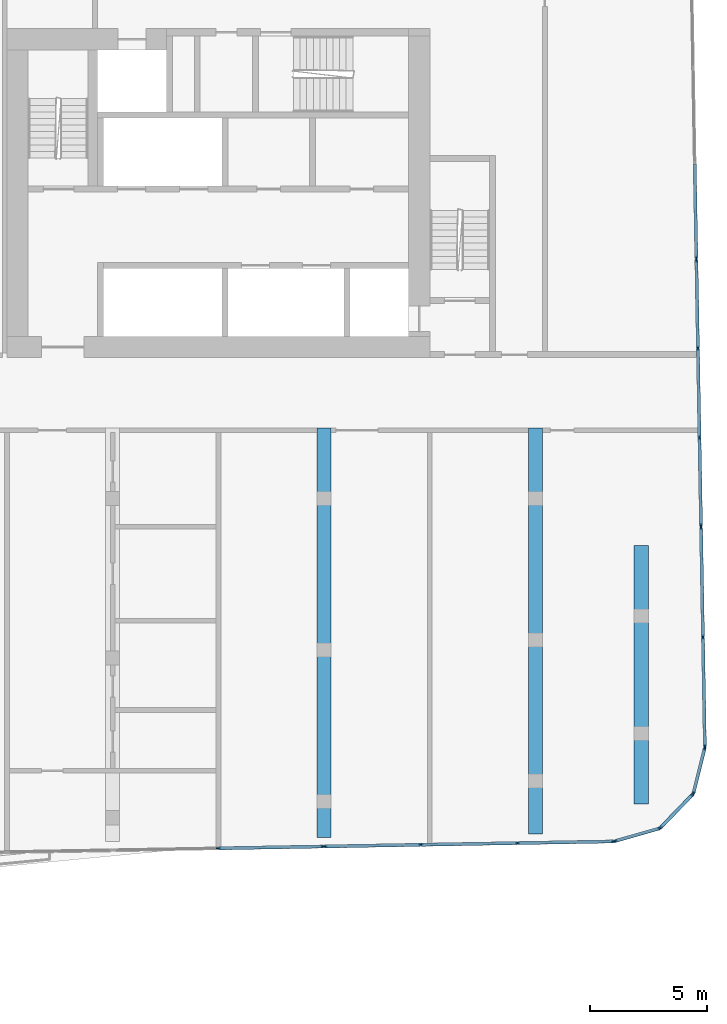
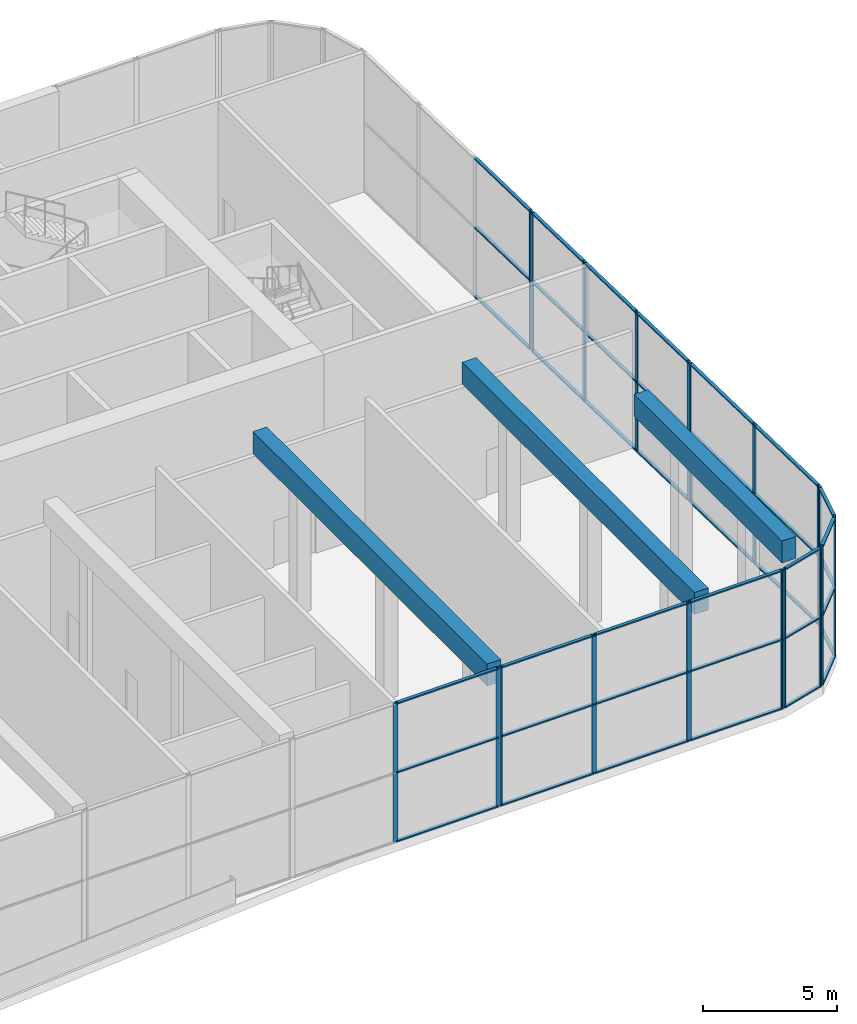
# One storey, part 7 of 24: 59 members, 3 beams, 8 elements without a shape of their own.
"""IFC4 building model written with IfcOpenShell, lengths in metres."""

from ifc_helpers import new_model, si_unit, direction, frame, origin, origin_2d, place, context, subcontext, project, spatial, rectangle, extrude, material, material_profile, profile_set, type_object, element, aggregate, save


model = new_model("IFC4")

# Units and contexts
model_context = context("Model", 3, precision=1e-05, world=origin(), true_north=direction((0.0, 1.0)))
body_context = subcontext(model_context, "Body", "Model", "MODEL_VIEW")
ifc_project = project(units=[si_unit("LENGTHUNIT", "METRE"), si_unit("AREAUNIT", "SQUARE_METRE"), si_unit("VOLUMEUNIT", "CUBIC_METRE"), si_unit("PLANEANGLEUNIT", "RADIAN"), si_unit("MASSUNIT", "GRAM", prefix="KILO")], contexts=[model_context])

# Site, building, storey
site_placement = place(None, origin())
site = spatial("IfcSite", under=ifc_project, at=site_placement, CompositionType="ELEMENT")
building_placement = place(site_placement, origin())
building = spatial("IfcBuilding", under=site, at=building_placement, Name="Kajstack Hotel Tower", CompositionType="ELEMENT")
storey_placement = place(building_placement, frame((0.0, 0.0, 211.10009765625)))
storey = spatial("IfcBuildingStorey", under=building, at=storey_placement, Name="L51", CompositionType="ELEMENT", Elevation=211.10009765625)

# Curtain wall, members
ifc_material_1 = material(Name="Aluminium-framed curtain wall, low-iron insulated glass", Category="aluminium")
curtain_wall_type = type_object("IfcCurtainWallType", Name="CW-GARDEN", PredefinedType="NOTDEFINED", material=ifc_material_1)
curtain_wall_1_placement = place(storey_placement, origin())
curtain_wall_1 = element("IfcCurtainWall", 1, at=curtain_wall_1_placement, inside=storey, type_object=curtain_wall_type, Name="Curtain wall CU6 L51-04-02-3", PredefinedType="NOTDEFINED")
ifc_material_2 = material(Name="Aluminium", Category="aluminium")
ifc_material_profile_1 = material_profile(ifc_material_2, rectangle(XDim=0.06005859375, YDim=0.199951171875, at=origin_2d()), Name="Aluminium mullion 60 x 200")
ifc_profile_set_1 = profile_set([ifc_material_profile_1], Name="Aluminium")
member_type_1 = type_object("IfcMemberType", Name="CW-M-GARDEN", PredefinedType="MULLION", material=ifc_profile_set_1)
member_1_placement = place(storey_placement, frame((22.498779296875, -19.3876953125, 0.0), z_axis=(0.0, 0.0, 1.0), x_axis=(-0.017452739256, 0.999847689347, 0.0)))
member_1 = element("IfcMember", 2, at=member_1_placement, type_object=member_type_1, Name="CU6 mullion 2", PredefinedType="MULLION", context=body_context, shape_type="SweptSolid", body=[
    extrude(rectangle(XDim=0.06005859375, YDim=0.199951171875, at=origin_2d()), origin(), (0.0, 0.0, 1.0), 6.31982421875),
])
member_2_placement = place(storey_placement, frame((26.96875, -19.309814453125, 0.0), z_axis=(0.0, 0.0, 1.0), x_axis=(-0.017452739256, 0.999847689347, 0.0)))
member_2 = element("IfcMember", 3, at=member_2_placement, type_object=member_type_1, Name="CU6 mullion 3", PredefinedType="MULLION", context=body_context, shape_type="SweptSolid", body=[
    extrude(rectangle(XDim=0.06005859375, YDim=0.199951171875, at=origin_2d()), origin(), (0.0, 0.0, 1.0), 6.31982421875),
])

curtain_wall_2_placement = place(storey_placement, origin())
curtain_wall_2 = element("IfcCurtainWall", 4, at=curtain_wall_2_placement, inside=storey, type_object=curtain_wall_type, Name="Curtain wall CU6 L51-04-02-4", PredefinedType="NOTDEFINED")
member_3_placement = place(storey_placement, frame((27.028564453125, -19.30859375, 0.0), z_axis=(0.0, 0.0, 1.0), x_axis=(-0.017452857536, 0.999847687282, 0.0)))
member_3 = element("IfcMember", 5, at=member_3_placement, type_object=member_type_1, Name="CU6 mullion 1", PredefinedType="MULLION", context=body_context, shape_type="SweptSolid", body=[
    extrude(rectangle(XDim=0.06005859375, YDim=0.199951171875, at=origin_2d()), origin(), (0.0, 0.0, 1.0), 6.31982421875),
])
member_4_placement = place(storey_placement, frame((31.1162109375, -19.2373046875, 0.0), z_axis=(0.0, 0.0, 1.0), x_axis=(-0.017452857536, 0.999847687282, 0.0)))
member_4 = element("IfcMember", 6, at=member_4_placement, type_object=member_type_1, Name="CU6 mullion 2", PredefinedType="MULLION", context=body_context, shape_type="SweptSolid", body=[
    extrude(rectangle(XDim=0.06005859375, YDim=0.199951171875, at=origin_2d()), origin(), (0.0, 0.0, 1.0), 6.31982421875),
])
member_5_placement = place(storey_placement, frame((35.233642578125, -19.16552734375, 0.0), z_axis=(0.0, 0.0, 1.0), x_axis=(-0.017452857536, 0.999847687282, 0.0)))
member_5 = element("IfcMember", 7, at=member_5_placement, type_object=member_type_1, Name="CU6 mullion 3", PredefinedType="MULLION", context=body_context, shape_type="SweptSolid", body=[
    extrude(rectangle(XDim=0.06005859375, YDim=0.199951171875, at=origin_2d()), origin(), (0.0, 0.0, 1.0), 6.31982421875),
])
member_6_placement = place(storey_placement, frame((39.321044921875, -19.09423828125, 0.0), z_axis=(0.0, 0.0, 1.0), x_axis=(-0.017452857536, 0.999847687282, 0.0)))
member_6 = element("IfcMember", 8, at=member_6_placement, type_object=member_type_1, Name="CU6 mullion 4", PredefinedType="MULLION", context=body_context, shape_type="SweptSolid", body=[
    extrude(rectangle(XDim=0.06005859375, YDim=0.199951171875, at=origin_2d()), origin(), (0.0, 0.0, 1.0), 6.31982421875),
])

curtain_wall_3_placement = place(storey_placement, origin())
curtain_wall_3 = element("IfcCurtainWall", 9, at=curtain_wall_3_placement, inside=storey, type_object=curtain_wall_type, Name="Curtain wall CU6 L51-05-00-0", PredefinedType="NOTDEFINED")
member_7_placement = place(storey_placement, frame((39.3603515625, -19.088134765625, 0.0), z_axis=(0.0, 0.0, 1.0), x_axis=(-0.275633186987, 0.961262891321, 0.0)))
member_7 = element("IfcMember", 10, at=member_7_placement, type_object=member_type_1, Name="CU6 mullion 1", PredefinedType="MULLION", context=body_context, shape_type="SweptSolid", body=[
    extrude(rectangle(XDim=0.06005859375, YDim=0.199951171875, at=origin_2d()), origin(), (0.0, 0.0, 1.0), 6.31982421875),
])
member_8_placement = place(storey_placement, frame((41.29296875, -18.5341796875, 0.0), z_axis=(0.0, 0.0, 1.0), x_axis=(-0.275633186987, 0.961262891321, 0.0)))
member_8 = element("IfcMember", 11, at=member_8_placement, type_object=member_type_1, Name="CU6 mullion 2", PredefinedType="MULLION", context=body_context, shape_type="SweptSolid", body=[
    extrude(rectangle(XDim=0.06005859375, YDim=0.199951171875, at=origin_2d()), origin(), (0.0, 0.0, 1.0), 6.31982421875),
])

curtain_wall_4_placement = place(storey_placement, origin())
curtain_wall_4 = element("IfcCurtainWall", 12, at=curtain_wall_4_placement, inside=storey, type_object=curtain_wall_type, Name="Curtain wall CU6 L51-06-00-0", PredefinedType="NOTDEFINED")
member_9_placement = place(storey_placement, frame((41.3095703125, -18.524169921875, 0.0), z_axis=(0.0, 0.0, 1.0), x_axis=(-0.719338214871, 0.694660012255, 0.0)))
member_9 = element("IfcMember", 13, at=member_9_placement, type_object=member_type_1, Name="CU6 mullion 1", PredefinedType="MULLION", context=body_context, shape_type="SweptSolid", body=[
    extrude(rectangle(XDim=0.06005859375, YDim=0.199951171875, at=origin_2d()), origin(), (0.0, 0.0, 1.0), 6.31982421875),
])
member_10_placement = place(storey_placement, frame((42.706298828125, -17.077880859375, 0.0), z_axis=(0.0, 0.0, 1.0), x_axis=(-0.719338214871, 0.694660012255, 0.0)))
member_10 = element("IfcMember", 14, at=member_10_placement, type_object=member_type_1, Name="CU6 mullion 2", PredefinedType="MULLION", context=body_context, shape_type="SweptSolid", body=[
    extrude(rectangle(XDim=0.06005859375, YDim=0.199951171875, at=origin_2d()), origin(), (0.0, 0.0, 1.0), 6.31982421875),
])

curtain_wall_5_placement = place(storey_placement, origin())
curtain_wall_5 = element("IfcCurtainWall", 15, at=curtain_wall_5_placement, inside=storey, type_object=curtain_wall_type, Name="Curtain wall CU6 L51-07-00-0", PredefinedType="NOTDEFINED")
member_11_placement = place(storey_placement, frame((42.715576171875, -17.06103515625, 0.0), z_axis=(0.0, 0.0, 1.0), x_axis=(-0.970295721484, 0.241921914821, 0.0)))
member_11 = element("IfcMember", 16, at=member_11_placement, type_object=member_type_1, Name="CU6 mullion 1", PredefinedType="MULLION", context=body_context, shape_type="SweptSolid", body=[
    extrude(rectangle(XDim=0.06005859375, YDim=0.199951171875, at=origin_2d()), origin(), (0.0, 0.0, 1.0), 6.31982421875),
])
member_12_placement = place(storey_placement, frame((43.201904296875, -15.1103515625, 0.0), z_axis=(0.0, 0.0, 1.0), x_axis=(-0.970295721484, 0.241921914821, 0.0)))
member_12 = element("IfcMember", 17, at=member_12_placement, type_object=member_type_1, Name="CU6 mullion 2", PredefinedType="MULLION", context=body_context, shape_type="SweptSolid", body=[
    extrude(rectangle(XDim=0.06005859375, YDim=0.199951171875, at=origin_2d()), origin(), (0.0, 0.0, 1.0), 6.31982421875),
])

curtain_wall_6_placement = place(storey_placement, origin())
curtain_wall_6 = element("IfcCurtainWall", 18, at=curtain_wall_6_placement, inside=storey, type_object=curtain_wall_type, Name="Curtain wall CU6 L51-08-00-0", PredefinedType="NOTDEFINED")
member_13_placement = place(storey_placement, frame((43.206298828125, -15.07080078125, 0.0), z_axis=(0.0, 0.0, 1.0), x_axis=(-0.999847659364, -0.017454456869, 0.0)))
member_13 = element("IfcMember", 19, at=member_13_placement, type_object=member_type_1, Name="CU6 mullion 1", PredefinedType="MULLION", context=body_context, shape_type="SweptSolid", body=[
    extrude(rectangle(XDim=0.06005859375, YDim=0.199951171875, at=origin_2d()), origin(), (0.0, 0.0, 1.0), 6.31982421875),
])
member_14_placement = place(storey_placement, frame((43.124755859375, -10.401123046875, 0.0), z_axis=(0.0, 0.0, 1.0), x_axis=(-0.999847659364, -0.017454456869, 0.0)))
member_14 = element("IfcMember", 20, at=member_14_placement, type_object=member_type_1, Name="CU6 mullion 2", PredefinedType="MULLION", context=body_context, shape_type="SweptSolid", body=[
    extrude(rectangle(XDim=0.06005859375, YDim=0.199951171875, at=origin_2d()), origin(), (0.0, 0.0, 1.0), 6.31982421875),
])
member_15_placement = place(storey_placement, frame((43.04345703125, -5.7314453125, 0.0), z_axis=(0.0, 0.0, 1.0), x_axis=(-0.999847659364, -0.017454456869, 0.0)))
member_15 = element("IfcMember", 21, at=member_15_placement, type_object=member_type_1, Name="CU6 mullion 3", PredefinedType="MULLION", context=body_context, shape_type="SweptSolid", body=[
    extrude(rectangle(XDim=0.06005859375, YDim=0.199951171875, at=origin_2d()), origin(), (0.0, 0.0, 1.0), 6.31982421875),
])

curtain_wall_7_placement = place(storey_placement, origin())
curtain_wall_7 = element("IfcCurtainWall", 22, at=curtain_wall_7_placement, inside=storey, type_object=curtain_wall_type, Name="Curtain wall CU6 L51-08-00-1", PredefinedType="NOTDEFINED")
member_16_placement = place(storey_placement, frame((43.042236328125, -5.67138671875, 0.0), z_axis=(0.0, 0.0, 1.0), x_axis=(-0.999847656888, -0.017454598673, 0.0)))
member_16 = element("IfcMember", 23, at=member_16_placement, type_object=member_type_1, Name="CU6 mullion 1", PredefinedType="MULLION", context=body_context, shape_type="SweptSolid", body=[
    extrude(rectangle(XDim=0.06005859375, YDim=0.199951171875, at=origin_2d()), origin(), (0.0, 0.0, 1.0), 6.31982421875),
])
member_17_placement = place(storey_placement, frame((42.9765625, -1.9013671875, 0.0), z_axis=(0.0, 0.0, 1.0), x_axis=(-0.999847656888, -0.017454598673, 0.0)))
member_17 = element("IfcMember", 24, at=member_17_placement, type_object=member_type_1, Name="CU6 mullion 2", PredefinedType="MULLION", context=body_context, shape_type="SweptSolid", body=[
    extrude(rectangle(XDim=0.06005859375, YDim=0.199951171875, at=origin_2d()), origin(), (0.0, 0.0, 1.0), 6.31982421875),
])
member_18_placement = place(storey_placement, frame((42.91015625, 1.898681640625, 0.0), z_axis=(0.0, 0.0, 1.0), x_axis=(-0.999847656888, -0.017454598673, 0.0)))
member_18 = element("IfcMember", 25, at=member_18_placement, type_object=member_type_1, Name="CU6 mullion 3", PredefinedType="MULLION", context=body_context, shape_type="SweptSolid", body=[
    extrude(rectangle(XDim=0.06005859375, YDim=0.199951171875, at=origin_2d()), origin(), (0.0, 0.0, 1.0), 6.31982421875),
])
member_19_placement = place(storey_placement, frame((42.84423828125, 5.668701171875, 0.0), z_axis=(0.0, 0.0, 1.0), x_axis=(-0.999847656888, -0.017454598673, 0.0)))
member_19 = element("IfcMember", 26, at=member_19_placement, type_object=member_type_1, Name="CU6 mullion 4", PredefinedType="MULLION", context=body_context, shape_type="SweptSolid", body=[
    extrude(rectangle(XDim=0.06005859375, YDim=0.199951171875, at=origin_2d()), origin(), (0.0, 0.0, 1.0), 6.31982421875),
])

# Curtain wall, member
curtain_wall_8_placement = place(storey_placement, origin())
curtain_wall_8 = element("IfcCurtainWall", 27, at=curtain_wall_8_placement, inside=storey, type_object=curtain_wall_type, Name="Curtain wall CU6 L51-08-00-2", PredefinedType="NOTDEFINED")
member_20_placement = place(storey_placement, frame((42.84326171875, 5.728759765625, 0.0), z_axis=(0.0, 0.0, 1.0), x_axis=(-0.999847658176, -0.017454524927, 0.0)))
member_20 = element("IfcMember", 28, at=member_20_placement, type_object=member_type_1, Name="CU6 mullion 1", PredefinedType="MULLION", context=body_context, shape_type="SweptSolid", body=[
    extrude(rectangle(XDim=0.06005859375, YDim=0.199951171875, at=origin_2d()), origin(), (0.0, 0.0, 1.0), 6.31982421875),
])

# Member
ifc_material_profile_2 = material_profile(ifc_material_2, rectangle(XDim=0.139892578125, YDim=0.06005859375, at=origin_2d()), Name="Aluminium transom 140 x 60")
ifc_profile_set_2 = profile_set([ifc_material_profile_2], Name="Aluminium")
member_type_2 = type_object("IfcMemberType", Name="CW-T-GARDEN", PredefinedType="USERDEFINED", material=ifc_profile_set_2)
member_21_placement = place(storey_placement, frame((22.528564453125, -19.38720703125, 0.02978515625), z_axis=(0.999847992775, 0.017435347527, 0.0), x_axis=(-0.017435347527, 0.999847992775, 0.0)))
member_21 = element("IfcMember", 29, at=member_21_placement, type_object=member_type_2, Name="CU6 transom 2.1", ObjectType="TRANSOM", PredefinedType="USERDEFINED", context=body_context, shape_type="SweptSolid", body=[
    extrude(rectangle(XDim=0.139892578125, YDim=0.06005859375, at=origin_2d()), origin(), (0.0, 0.0, 1.0), 4.410888671875),
])

member_22_placement = place(storey_placement, frame((22.528564453125, -19.38720703125, 3.159912109375), z_axis=(0.999847992775, 0.017435347527, 0.0), x_axis=(-0.017435347527, 0.999847992775, 0.0)))
member_22 = element("IfcMember", 30, at=member_22_placement, type_object=member_type_2, Name="CU6 transom 2.2", ObjectType="TRANSOM", PredefinedType="USERDEFINED", context=body_context, shape_type="SweptSolid", body=[
    extrude(rectangle(XDim=0.139892578125, YDim=0.06005859375, at=origin_2d()), origin(), (0.0, 0.0, 1.0), 4.410888671875),
])

member_23_placement = place(storey_placement, frame((22.528564453125, -19.38720703125, 6.289794921875), z_axis=(0.999847992775, 0.017435347527, 0.0), x_axis=(-0.017435347527, 0.999847992775, 0.0)))
member_23 = element("IfcMember", 31, at=member_23_placement, type_object=member_type_2, Name="CU6 transom 2.3", ObjectType="TRANSOM", PredefinedType="USERDEFINED", context=body_context, shape_type="SweptSolid", body=[
    extrude(rectangle(XDim=0.139892578125, YDim=0.06005859375, at=origin_2d()), origin(), (0.0, 0.0, 1.0), 4.410888671875),
])

aggregate(curtain_wall_1, [member_1, member_2, member_21, member_22, member_23])

member_24_placement = place(storey_placement, frame((27.05859375, -19.30810546875, 0.02978515625), z_axis=(0.999847648837, 0.017455059881, 0.0), x_axis=(-0.017455059881, 0.999847648837, 0.0)))
member_24 = element("IfcMember", 32, at=member_24_placement, type_object=member_type_2, Name="CU6 transom 1.1", ObjectType="TRANSOM", PredefinedType="USERDEFINED", context=body_context, shape_type="SweptSolid", body=[
    extrude(rectangle(XDim=0.139892578125, YDim=0.06005859375, at=origin_2d()), origin(), (0.0, 0.0, 1.0), 4.0283203125),
])

member_25_placement = place(storey_placement, frame((27.05859375, -19.30810546875, 3.159912109375), z_axis=(0.999847648837, 0.017455059881, 0.0), x_axis=(-0.017455059881, 0.999847648837, 0.0)))
member_25 = element("IfcMember", 33, at=member_25_placement, type_object=member_type_2, Name="CU6 transom 1.2", ObjectType="TRANSOM", PredefinedType="USERDEFINED", context=body_context, shape_type="SweptSolid", body=[
    extrude(rectangle(XDim=0.139892578125, YDim=0.06005859375, at=origin_2d()), origin(), (0.0, 0.0, 1.0), 4.0283203125),
])

member_26_placement = place(storey_placement, frame((27.05859375, -19.30810546875, 6.289794921875), z_axis=(0.999847648837, 0.017455059881, 0.0), x_axis=(-0.017455059881, 0.999847648837, 0.0)))
member_26 = element("IfcMember", 34, at=member_26_placement, type_object=member_type_2, Name="CU6 transom 1.3", ObjectType="TRANSOM", PredefinedType="USERDEFINED", context=body_context, shape_type="SweptSolid", body=[
    extrude(rectangle(XDim=0.139892578125, YDim=0.06005859375, at=origin_2d()), origin(), (0.0, 0.0, 1.0), 4.0283203125),
])

member_27_placement = place(storey_placement, frame((31.14599609375, -19.23681640625, 0.02978515625), z_axis=(0.999847803451, 0.017446201143, 0.0), x_axis=(-0.017446201143, 0.999847803451, 0.0)))
member_27 = element("IfcMember", 35, at=member_27_placement, type_object=member_type_2, Name="CU6 transom 2.1", ObjectType="TRANSOM", PredefinedType="USERDEFINED", context=body_context, shape_type="SweptSolid", body=[
    extrude(rectangle(XDim=0.139892578125, YDim=0.06005859375, at=origin_2d()), origin(), (0.0, 0.0, 1.0), 4.058349609375),
])

member_28_placement = place(storey_placement, frame((31.14599609375, -19.23681640625, 3.159912109375), z_axis=(0.999847803451, 0.017446201143, 0.0), x_axis=(-0.017446201143, 0.999847803451, 0.0)))
member_28 = element("IfcMember", 36, at=member_28_placement, type_object=member_type_2, Name="CU6 transom 2.2", ObjectType="TRANSOM", PredefinedType="USERDEFINED", context=body_context, shape_type="SweptSolid", body=[
    extrude(rectangle(XDim=0.139892578125, YDim=0.06005859375, at=origin_2d()), origin(), (0.0, 0.0, 1.0), 4.058349609375),
])

member_29_placement = place(storey_placement, frame((31.14599609375, -19.23681640625, 6.289794921875), z_axis=(0.999847803451, 0.017446201143, 0.0), x_axis=(-0.017446201143, 0.999847803451, 0.0)))
member_29 = element("IfcMember", 37, at=member_29_placement, type_object=member_type_2, Name="CU6 transom 2.3", ObjectType="TRANSOM", PredefinedType="USERDEFINED", context=body_context, shape_type="SweptSolid", body=[
    extrude(rectangle(XDim=0.139892578125, YDim=0.06005859375, at=origin_2d()), origin(), (0.0, 0.0, 1.0), 4.058349609375),
])

member_30_placement = place(storey_placement, frame((35.263427734375, -19.1650390625, 0.02978515625), z_axis=(0.999847648837, 0.017455059881, 0.0), x_axis=(-0.017455059881, 0.999847648837, 0.0)))
member_30 = element("IfcMember", 38, at=member_30_placement, type_object=member_type_2, Name="CU6 transom 3.1", ObjectType="TRANSOM", PredefinedType="USERDEFINED", context=body_context, shape_type="SweptSolid", body=[
    extrude(rectangle(XDim=0.139892578125, YDim=0.06005859375, at=origin_2d()), origin(), (0.0, 0.0, 1.0), 4.0283203125),
])

member_31_placement = place(storey_placement, frame((35.263427734375, -19.1650390625, 3.159912109375), z_axis=(0.999847648837, 0.017455059881, 0.0), x_axis=(-0.017455059881, 0.999847648837, 0.0)))
member_31 = element("IfcMember", 39, at=member_31_placement, type_object=member_type_2, Name="CU6 transom 3.2", ObjectType="TRANSOM", PredefinedType="USERDEFINED", context=body_context, shape_type="SweptSolid", body=[
    extrude(rectangle(XDim=0.139892578125, YDim=0.06005859375, at=origin_2d()), origin(), (0.0, 0.0, 1.0), 4.0283203125),
])

member_32_placement = place(storey_placement, frame((35.263427734375, -19.1650390625, 6.289794921875), z_axis=(0.999847648837, 0.017455059881, 0.0), x_axis=(-0.017455059881, 0.999847648837, 0.0)))
member_32 = element("IfcMember", 40, at=member_32_placement, type_object=member_type_2, Name="CU6 transom 3.3", ObjectType="TRANSOM", PredefinedType="USERDEFINED", context=body_context, shape_type="SweptSolid", body=[
    extrude(rectangle(XDim=0.139892578125, YDim=0.06005859375, at=origin_2d()), origin(), (0.0, 0.0, 1.0), 4.0283203125),
])

aggregate(curtain_wall_2, [member_3, member_4, member_5, member_6, member_24, member_25, member_26, member_27, member_28, member_29, member_30, member_31, member_32])

member_33_placement = place(storey_placement, frame((39.389404296875, -19.080078125, 0.02978515625), z_axis=(0.961225795507, 0.275762524743, 0.0), x_axis=(-0.275762524743, 0.961225795507, 0.0)))
member_33 = element("IfcMember", 41, at=member_33_placement, type_object=member_type_2, Name="CU6 transom 1.1", ObjectType="TRANSOM", PredefinedType="USERDEFINED", context=body_context, shape_type="SweptSolid", body=[
    extrude(rectangle(XDim=0.139892578125, YDim=0.06005859375, at=origin_2d()), origin(), (0.0, 0.0, 1.0), 1.950439453125),
])

member_34_placement = place(storey_placement, frame((39.389404296875, -19.080078125, 3.159912109375), z_axis=(0.961225795507, 0.275762524743, 0.0), x_axis=(-0.275762524743, 0.961225795507, 0.0)))
member_34 = element("IfcMember", 42, at=member_34_placement, type_object=member_type_2, Name="CU6 transom 1.2", ObjectType="TRANSOM", PredefinedType="USERDEFINED", context=body_context, shape_type="SweptSolid", body=[
    extrude(rectangle(XDim=0.139892578125, YDim=0.06005859375, at=origin_2d()), origin(), (0.0, 0.0, 1.0), 1.950439453125),
])

member_35_placement = place(storey_placement, frame((39.389404296875, -19.080078125, 6.289794921875), z_axis=(0.961225795507, 0.275762524743, 0.0), x_axis=(-0.275762524743, 0.961225795507, 0.0)))
member_35 = element("IfcMember", 43, at=member_35_placement, type_object=member_type_2, Name="CU6 transom 1.3", ObjectType="TRANSOM", PredefinedType="USERDEFINED", context=body_context, shape_type="SweptSolid", body=[
    extrude(rectangle(XDim=0.139892578125, YDim=0.06005859375, at=origin_2d()), origin(), (0.0, 0.0, 1.0), 1.950439453125),
])

aggregate(curtain_wall_3, [member_7, member_8, member_33, member_34, member_35])

member_36_placement = place(storey_placement, frame((41.330322265625, -18.502685546875, 0.02978515625), z_axis=(0.694607914746, 0.719388521435, 0.0), x_axis=(-0.719388521435, 0.694607914746, 0.0)))
member_36 = element("IfcMember", 44, at=member_36_placement, type_object=member_type_2, Name="CU6 transom 1.1", ObjectType="TRANSOM", PredefinedType="USERDEFINED", context=body_context, shape_type="SweptSolid", body=[
    extrude(rectangle(XDim=0.139892578125, YDim=0.06005859375, at=origin_2d()), origin(), (0.0, 0.0, 1.0), 1.95068359375),
])

member_37_placement = place(storey_placement, frame((41.330322265625, -18.502685546875, 3.159912109375), z_axis=(0.694607914746, 0.719388521435, 0.0), x_axis=(-0.719388521435, 0.694607914746, 0.0)))
member_37 = element("IfcMember", 45, at=member_37_placement, type_object=member_type_2, Name="CU6 transom 1.2", ObjectType="TRANSOM", PredefinedType="USERDEFINED", context=body_context, shape_type="SweptSolid", body=[
    extrude(rectangle(XDim=0.139892578125, YDim=0.06005859375, at=origin_2d()), origin(), (0.0, 0.0, 1.0), 1.95068359375),
])

member_38_placement = place(storey_placement, frame((41.330322265625, -18.502685546875, 6.289794921875), z_axis=(0.694607914746, 0.719388521435, 0.0), x_axis=(-0.719388521435, 0.694607914746, 0.0)))
member_38 = element("IfcMember", 46, at=member_38_placement, type_object=member_type_2, Name="CU6 transom 1.3", ObjectType="TRANSOM", PredefinedType="USERDEFINED", context=body_context, shape_type="SweptSolid", body=[
    extrude(rectangle(XDim=0.139892578125, YDim=0.06005859375, at=origin_2d()), origin(), (0.0, 0.0, 1.0), 1.95068359375),
])

aggregate(curtain_wall_4, [member_9, member_10, member_36, member_37, member_38])

member_39_placement = place(storey_placement, frame((42.72265625, -17.031982421875, 0.02978515625), z_axis=(0.241946562198, 0.970289575869, 0.0), x_axis=(-0.970289575869, 0.241946562198, 0.0)))
member_39 = element("IfcMember", 47, at=member_39_placement, type_object=member_type_2, Name="CU6 transom 1.1", ObjectType="TRANSOM", PredefinedType="USERDEFINED", context=body_context, shape_type="SweptSolid", body=[
    extrude(rectangle(XDim=0.139892578125, YDim=0.06005859375, at=origin_2d()), origin(), (0.0, 0.0, 1.0), 1.950439453125),
])

member_40_placement = place(storey_placement, frame((42.72265625, -17.031982421875, 3.159912109375), z_axis=(0.241946562198, 0.970289575869, 0.0), x_axis=(-0.970289575869, 0.241946562198, 0.0)))
member_40 = element("IfcMember", 48, at=member_40_placement, type_object=member_type_2, Name="CU6 transom 1.2", ObjectType="TRANSOM", PredefinedType="USERDEFINED", context=body_context, shape_type="SweptSolid", body=[
    extrude(rectangle(XDim=0.139892578125, YDim=0.06005859375, at=origin_2d()), origin(), (0.0, 0.0, 1.0), 1.950439453125),
])

member_41_placement = place(storey_placement, frame((42.72265625, -17.031982421875, 6.289794921875), z_axis=(0.241946562198, 0.970289575869, 0.0), x_axis=(-0.970289575869, 0.241946562198, 0.0)))
member_41 = element("IfcMember", 49, at=member_41_placement, type_object=member_type_2, Name="CU6 transom 1.3", ObjectType="TRANSOM", PredefinedType="USERDEFINED", context=body_context, shape_type="SweptSolid", body=[
    extrude(rectangle(XDim=0.139892578125, YDim=0.06005859375, at=origin_2d()), origin(), (0.0, 0.0, 1.0), 1.950439453125),
])

aggregate(curtain_wall_5, [member_11, member_12, member_39, member_40, member_41])

member_42_placement = place(storey_placement, frame((43.205810546875, -15.040771484375, 0.02978515625), z_axis=(-0.01742135737, 0.999848236638, 0.0), x_axis=(-0.999848236638, -0.01742135737, 0.0)))
member_42 = element("IfcMember", 50, at=member_42_placement, type_object=member_type_2, Name="CU6 transom 1.1", ObjectType="TRANSOM", PredefinedType="USERDEFINED", context=body_context, shape_type="SweptSolid", body=[
    extrude(rectangle(XDim=0.139892578125, YDim=0.06005859375, at=origin_2d()), origin(), (0.0, 0.0, 1.0), 4.610595703125),
])

member_43_placement = place(storey_placement, frame((43.205810546875, -15.040771484375, 3.159912109375), z_axis=(-0.01742135737, 0.999848236638, 0.0), x_axis=(-0.999848236638, -0.01742135737, 0.0)))
member_43 = element("IfcMember", 51, at=member_43_placement, type_object=member_type_2, Name="CU6 transom 1.2", ObjectType="TRANSOM", PredefinedType="USERDEFINED", context=body_context, shape_type="SweptSolid", body=[
    extrude(rectangle(XDim=0.139892578125, YDim=0.06005859375, at=origin_2d()), origin(), (0.0, 0.0, 1.0), 4.610595703125),
])

member_44_placement = place(storey_placement, frame((43.205810546875, -15.040771484375, 6.289794921875), z_axis=(-0.01742135737, 0.999848236638, 0.0), x_axis=(-0.999848236638, -0.01742135737, 0.0)))
member_44 = element("IfcMember", 52, at=member_44_placement, type_object=member_type_2, Name="CU6 transom 1.3", ObjectType="TRANSOM", PredefinedType="USERDEFINED", context=body_context, shape_type="SweptSolid", body=[
    extrude(rectangle(XDim=0.139892578125, YDim=0.06005859375, at=origin_2d()), origin(), (0.0, 0.0, 1.0), 4.610595703125),
])

member_45_placement = place(storey_placement, frame((43.124267578125, -10.37109375, 0.02978515625), z_axis=(-0.01742135737, 0.999848236638, 0.0), x_axis=(-0.999848236638, -0.01742135737, 0.0)))
member_45 = element("IfcMember", 53, at=member_45_placement, type_object=member_type_2, Name="CU6 transom 2.1", ObjectType="TRANSOM", PredefinedType="USERDEFINED", context=body_context, shape_type="SweptSolid", body=[
    extrude(rectangle(XDim=0.139892578125, YDim=0.06005859375, at=origin_2d()), origin(), (0.0, 0.0, 1.0), 4.610595703125),
])

member_46_placement = place(storey_placement, frame((43.124267578125, -10.37109375, 3.159912109375), z_axis=(-0.01742135737, 0.999848236638, 0.0), x_axis=(-0.999848236638, -0.01742135737, 0.0)))
member_46 = element("IfcMember", 54, at=member_46_placement, type_object=member_type_2, Name="CU6 transom 2.2", ObjectType="TRANSOM", PredefinedType="USERDEFINED", context=body_context, shape_type="SweptSolid", body=[
    extrude(rectangle(XDim=0.139892578125, YDim=0.06005859375, at=origin_2d()), origin(), (0.0, 0.0, 1.0), 4.610595703125),
])

member_47_placement = place(storey_placement, frame((43.124267578125, -10.37109375, 6.289794921875), z_axis=(-0.01742135737, 0.999848236638, 0.0), x_axis=(-0.999848236638, -0.01742135737, 0.0)))
member_47 = element("IfcMember", 55, at=member_47_placement, type_object=member_type_2, Name="CU6 transom 2.3", ObjectType="TRANSOM", PredefinedType="USERDEFINED", context=body_context, shape_type="SweptSolid", body=[
    extrude(rectangle(XDim=0.139892578125, YDim=0.06005859375, at=origin_2d()), origin(), (0.0, 0.0, 1.0), 4.610595703125),
])

aggregate(curtain_wall_6, [member_13, member_14, member_15, member_42, member_43, member_44, member_45, member_46, member_47])

member_48_placement = place(storey_placement, frame((43.041748046875, -5.641357421875, 0.02978515625), z_axis=(-0.017436148617, 0.999847978805, 0.0), x_axis=(-0.999847978805, -0.017436148617, 0.0)))
member_48 = element("IfcMember", 56, at=member_48_placement, type_object=member_type_2, Name="CU6 transom 1.1", ObjectType="TRANSOM", PredefinedType="USERDEFINED", context=body_context, shape_type="SweptSolid", body=[
    extrude(rectangle(XDim=0.139892578125, YDim=0.06005859375, at=origin_2d()), origin(), (0.0, 0.0, 1.0), 3.71044921875),
])

member_49_placement = place(storey_placement, frame((43.041748046875, -5.641357421875, 3.159912109375), z_axis=(-0.017436148617, 0.999847978805, 0.0), x_axis=(-0.999847978805, -0.017436148617, 0.0)))
member_49 = element("IfcMember", 57, at=member_49_placement, type_object=member_type_2, Name="CU6 transom 1.2", ObjectType="TRANSOM", PredefinedType="USERDEFINED", context=body_context, shape_type="SweptSolid", body=[
    extrude(rectangle(XDim=0.139892578125, YDim=0.06005859375, at=origin_2d()), origin(), (0.0, 0.0, 1.0), 3.71044921875),
])

member_50_placement = place(storey_placement, frame((43.041748046875, -5.641357421875, 6.289794921875), z_axis=(-0.017436148617, 0.999847978805, 0.0), x_axis=(-0.999847978805, -0.017436148617, 0.0)))
member_50 = element("IfcMember", 58, at=member_50_placement, type_object=member_type_2, Name="CU6 transom 1.3", ObjectType="TRANSOM", PredefinedType="USERDEFINED", context=body_context, shape_type="SweptSolid", body=[
    extrude(rectangle(XDim=0.139892578125, YDim=0.06005859375, at=origin_2d()), origin(), (0.0, 0.0, 1.0), 3.71044921875),
])

member_51_placement = place(storey_placement, frame((42.97607421875, -1.871337890625, 0.02978515625), z_axis=(-0.017491937931, 0.99984700435, 0.0), x_axis=(-0.99984700435, -0.017491937931, 0.0)))
member_51 = element("IfcMember", 59, at=member_51_placement, type_object=member_type_2, Name="CU6 transom 2.1", ObjectType="TRANSOM", PredefinedType="USERDEFINED", context=body_context, shape_type="SweptSolid", body=[
    extrude(rectangle(XDim=0.139892578125, YDim=0.06005859375, at=origin_2d()), origin(), (0.0, 0.0, 1.0), 3.740478515625),
])

member_52_placement = place(storey_placement, frame((42.97607421875, -1.871337890625, 3.159912109375), z_axis=(-0.017491937931, 0.99984700435, 0.0), x_axis=(-0.99984700435, -0.017491937931, 0.0)))
member_52 = element("IfcMember", 60, at=member_52_placement, type_object=member_type_2, Name="CU6 transom 2.2", ObjectType="TRANSOM", PredefinedType="USERDEFINED", context=body_context, shape_type="SweptSolid", body=[
    extrude(rectangle(XDim=0.139892578125, YDim=0.06005859375, at=origin_2d()), origin(), (0.0, 0.0, 1.0), 3.740478515625),
])

member_53_placement = place(storey_placement, frame((42.97607421875, -1.871337890625, 6.289794921875), z_axis=(-0.017491937931, 0.99984700435, 0.0), x_axis=(-0.99984700435, -0.017491937931, 0.0)))
member_53 = element("IfcMember", 61, at=member_53_placement, type_object=member_type_2, Name="CU6 transom 2.3", ObjectType="TRANSOM", PredefinedType="USERDEFINED", context=body_context, shape_type="SweptSolid", body=[
    extrude(rectangle(XDim=0.139892578125, YDim=0.06005859375, at=origin_2d()), origin(), (0.0, 0.0, 1.0), 3.740478515625),
])

member_54_placement = place(storey_placement, frame((42.90966796875, 1.9287109375, 0.02978515625), z_axis=(-0.017436148617, 0.999847978805, 0.0), x_axis=(-0.999847978805, -0.017436148617, 0.0)))
member_54 = element("IfcMember", 62, at=member_54_placement, type_object=member_type_2, Name="CU6 transom 3.1", ObjectType="TRANSOM", PredefinedType="USERDEFINED", context=body_context, shape_type="SweptSolid", body=[
    extrude(rectangle(XDim=0.139892578125, YDim=0.06005859375, at=origin_2d()), origin(), (0.0, 0.0, 1.0), 3.71044921875),
])

member_55_placement = place(storey_placement, frame((42.90966796875, 1.9287109375, 3.159912109375), z_axis=(-0.017436148617, 0.999847978805, 0.0), x_axis=(-0.999847978805, -0.017436148617, 0.0)))
member_55 = element("IfcMember", 63, at=member_55_placement, type_object=member_type_2, Name="CU6 transom 3.2", ObjectType="TRANSOM", PredefinedType="USERDEFINED", context=body_context, shape_type="SweptSolid", body=[
    extrude(rectangle(XDim=0.139892578125, YDim=0.06005859375, at=origin_2d()), origin(), (0.0, 0.0, 1.0), 3.71044921875),
])

member_56_placement = place(storey_placement, frame((42.90966796875, 1.9287109375, 6.289794921875), z_axis=(-0.017436148617, 0.999847978805, 0.0), x_axis=(-0.999847978805, -0.017436148617, 0.0)))
member_56 = element("IfcMember", 64, at=member_56_placement, type_object=member_type_2, Name="CU6 transom 3.3", ObjectType="TRANSOM", PredefinedType="USERDEFINED", context=body_context, shape_type="SweptSolid", body=[
    extrude(rectangle(XDim=0.139892578125, YDim=0.06005859375, at=origin_2d()), origin(), (0.0, 0.0, 1.0), 3.71044921875),
])

aggregate(curtain_wall_7, [member_16, member_17, member_18, member_19, member_48, member_49, member_50, member_51, member_52, member_53, member_54, member_55, member_56])

member_57_placement = place(storey_placement, frame((42.8427734375, 5.7587890625, 0.02978515625), z_axis=(-0.017439921833, 0.999847912998, 0.0), x_axis=(-0.999847912998, -0.017439921833, 0.0)))
member_57 = element("IfcMember", 65, at=member_57_placement, type_object=member_type_2, Name="CU6 transom 1.1", ObjectType="TRANSOM", PredefinedType="USERDEFINED", context=body_context, shape_type="SweptSolid", body=[
    extrude(rectangle(XDim=0.139892578125, YDim=0.06005859375, at=origin_2d()), origin(), (0.0, 0.0, 1.0), 3.9755859375),
])

member_58_placement = place(storey_placement, frame((42.8427734375, 5.7587890625, 3.159912109375), z_axis=(-0.017439921833, 0.999847912998, 0.0), x_axis=(-0.999847912998, -0.017439921833, 0.0)))
member_58 = element("IfcMember", 66, at=member_58_placement, type_object=member_type_2, Name="CU6 transom 1.2", ObjectType="TRANSOM", PredefinedType="USERDEFINED", context=body_context, shape_type="SweptSolid", body=[
    extrude(rectangle(XDim=0.139892578125, YDim=0.06005859375, at=origin_2d()), origin(), (0.0, 0.0, 1.0), 3.9755859375),
])

member_59_placement = place(storey_placement, frame((42.8427734375, 5.7587890625, 6.289794921875), z_axis=(-0.017439921833, 0.999847912998, 0.0), x_axis=(-0.999847912998, -0.017439921833, 0.0)))
member_59 = element("IfcMember", 67, at=member_59_placement, type_object=member_type_2, Name="CU6 transom 1.3", ObjectType="TRANSOM", PredefinedType="USERDEFINED", context=body_context, shape_type="SweptSolid", body=[
    extrude(rectangle(XDim=0.139892578125, YDim=0.06005859375, at=origin_2d()), origin(), (0.0, 0.0, 1.0), 3.9755859375),
])

aggregate(curtain_wall_8, [member_20, member_57, member_58, member_59])

# Beams
ifc_material_3 = material(Name="Concrete C60/75", Category="concrete")
ifc_material_profile_3 = material_profile(ifc_material_3, rectangle(XDim=0.60009765625, YDim=1.0, at=origin_2d()), Name="RC 600x1000")
ifc_profile_set_3 = profile_set([ifc_material_profile_3], Name="Concrete C60/75")
beam_type = type_object("IfcBeamType", Name="TG4 RC 600x1000 C60/75", PredefinedType="BEAM", material=ifc_profile_set_3)
beam_1_placement = place(storey_placement, frame((27.0, -18.93408203125, 5.81982421875), z_axis=(0.0, 1.0, 0.0), x_axis=(-1.0, 0.0, 0.0)))
element("IfcBeam", 68, at=beam_1_placement, inside=storey, type_object=beam_type, Name="S-girder-L51-+27p0-1", PredefinedType="BEAM", context=body_context, shape_type="SweptSolid", body=[
    extrude(rectangle(XDim=0.60009765625, YDim=1.0, at=origin_2d()), origin(), (0.0, 0.0, 1.0), 17.43408203125),
])
beam_2_placement = place(storey_placement, frame((36.0, -18.777099609375, 5.81982421875), z_axis=(0.0, 1.0, 0.0), x_axis=(-1.0, 0.0, 0.0)))
element("IfcBeam", 69, at=beam_2_placement, inside=storey, type_object=beam_type, Name="S-girder-L51-+36p0-1", PredefinedType="BEAM", context=body_context, shape_type="SweptSolid", body=[
    extrude(rectangle(XDim=0.60009765625, YDim=1.0, at=origin_2d()), origin(), (0.0, 0.0, 1.0), 17.277099609375),
])
beam_3_placement = place(storey_placement, frame((40.5, -17.502685546875, 5.81982421875), z_axis=(0.0, 1.0, 0.0), x_axis=(-1.0, 0.0, 0.0)))
element("IfcBeam", 70, at=beam_3_placement, inside=storey, type_object=beam_type, Name="S-girder-L51-+40p5-1", PredefinedType="BEAM", context=body_context, shape_type="SweptSolid", body=[
    extrude(rectangle(XDim=0.60009765625, YDim=1.0, at=origin_2d()), origin(), (0.0, 0.0, 1.0), 11.00146484375),
])

save(model, "model.ifc")
